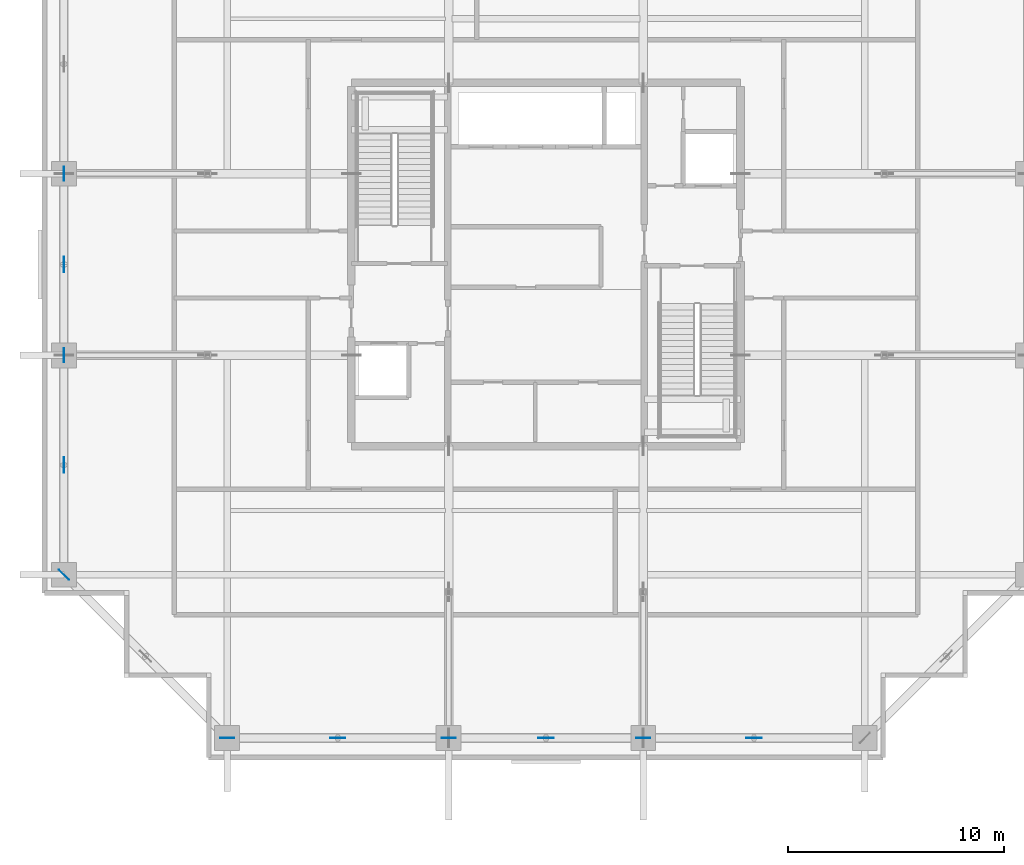
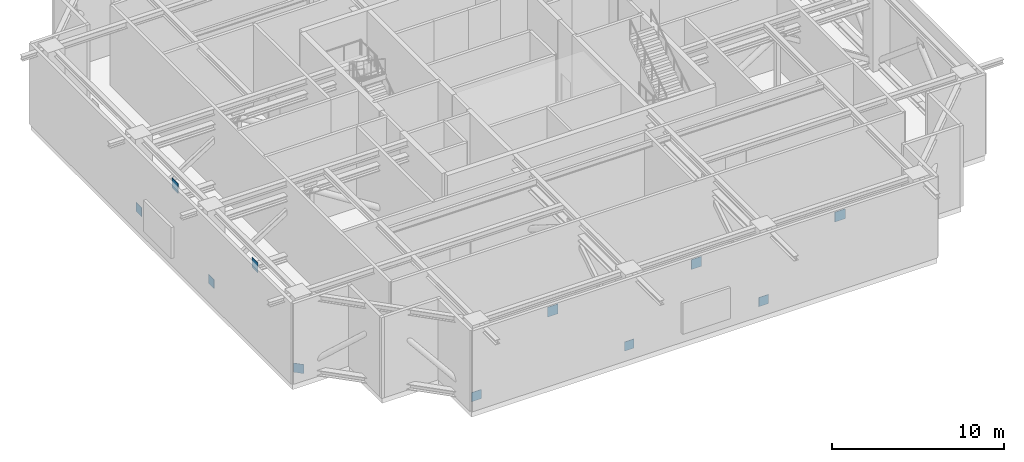
# One storey, part 11 of 22: 11 plates.
"""IFC4 building model written with IfcOpenShell, lengths in metres."""

from ifc_helpers import new_model, si_unit, direction, frame, origin, origin_2d, place, context, subcontext, project, spatial, rectangle, extrude, source, transform, mapped, material, layer, layer_set, type_object, element, save


model = new_model("IFC4")

# Units and contexts
model_context = context("Model", 3, precision=1e-05, world=origin(), true_north=direction((0.0, 1.0)))
body_context = subcontext(model_context, "Body", "Model", "MODEL_VIEW")
ifc_project = project(units=[si_unit("LENGTHUNIT", "METRE"), si_unit("AREAUNIT", "SQUARE_METRE"), si_unit("VOLUMEUNIT", "CUBIC_METRE"), si_unit("PLANEANGLEUNIT", "RADIAN"), si_unit("MASSUNIT", "GRAM", prefix="KILO")], contexts=[model_context])

# Site, building, storey
site_placement = place(None, origin())
site = spatial("IfcSite", under=ifc_project, at=site_placement, CompositionType="ELEMENT")
building_placement = place(site_placement, origin())
building = spatial("IfcBuilding", under=site, at=building_placement, Name="Serunith Strait Residences", CompositionType="ELEMENT")
storey_placement = place(building_placement, frame((0.0, 0.0, 287.449951171875)))
storey = spatial("IfcBuildingStorey", under=building, at=storey_placement, Name="L72", CompositionType="ELEMENT", Elevation=287.449951171875)

# Plates
ifc_material = material(Name="Steel S460M", Category="steel")
ifc_layer = layer(ifc_material, 0.02490234375, Name="Steel S460M")
ifc_layer_set = layer_set([ifc_layer], Name="Steel S460M")
plate_type = type_object("IfcPlateType", Name="PLT-CAP-25", PredefinedType="SHEET", material=ifc_layer_set)
shared_shape_1 = source(origin(), body_context, "Body", "SweptSolid", [
    extrude(rectangle(XDim=0.699951171875, YDim=0.02490234375, at=origin_2d()), origin(), (0.0, 0.0, 1.0), 0.699951171875),
])
for number, where, z_axis, x_axis, name in (
    (1, (22.77490234375, 3.300048828125, 4.14013671875), (0.0, 0.0, 1.0), (1.0, 0.0, 0.0), "L72 Belt Truss Apex Gusset 01"),
    (2, (32.39990234375, 3.300048828125, 4.14013671875), (0.0, 0.0, 1.0), (1.0, 0.0, 0.0), "L72 Belt Truss Apex Gusset 02"),
    (3, (42.02490234375, 3.300048828125, 4.14013671875), (0.0, 0.0, 1.0), (1.0, 0.0, 0.0), "L72 Belt Truss Apex Gusset 03"),
    (4, (10.10009765625, 25.199951171875, 4.14013671875), (0.0, 0.0, 1.0), (0.0, -1.0, 0.0), "L72 Belt Truss Apex Gusset 14"),
    (5, (10.10009765625, 15.925048828125, 4.14013671875), (0.0, 0.0, 1.0), (0.0, -1.0, 0.0), "L72 Belt Truss Apex Gusset 15"),
):
    element("IfcPlate", number, at=place(storey_placement, frame(where, z_axis=z_axis, x_axis=x_axis)), inside=storey, type_object=plate_type, Name=name, PredefinedType="SHEET", context=body_context, shape_type="MappedRepresentation", body=[
        mapped(shared_shape_1, transform((0.0, 0.0, 0.0), scale=1.0)),
    ])
shared_shape_2 = source(origin(), body_context, "Body", "SweptSolid", [
    extrude(rectangle(XDim=0.64990234375, YDim=0.02490234375, at=origin_2d()), origin(), (0.0, 0.0, 1.0), 0.64990234375),
])
for number, where, z_axis, x_axis, name in (
    (6, (17.64990234375, 3.300048828125, -0.074951171875), (0.0, 0.0, 1.0), (1.0, 0.0, 0.0), "L72 Belt Truss Column Node Plate 01"),
    (7, (27.89990234375, 3.300048828125, -0.074951171875), (0.0, 0.0, 1.0), (1.0, 0.0, 0.0), "L72 Belt Truss Column Node Plate 02"),
    (8, (36.89990234375, 3.300048828125, -0.074951171875), (0.0, 0.0, 1.0), (1.0, 0.0, 0.0), "L72 Belt Truss Column Node Plate 03"),
    (9, (10.10009765625, 29.39990234375, -0.074951171875), (0.0, 0.0, 1.0), (0.0, -1.0, 0.0), "L72 Belt Truss Column Node Plate 14"),
    (10, (10.10009765625, 21.0, -0.074951171875), (0.0, 0.0, 1.0), (0.0, -1.0, 0.0), "L72 Belt Truss Column Node Plate 15"),
    (11, (10.10009765625, 10.85009765625, -0.074951171875), (0.0, 0.0, 1.0), (0.707106781187, -0.707106781187, 0.0), "L72 Belt Truss Column Node Plate 16"),
):
    element("IfcPlate", number, at=place(storey_placement, frame(where, z_axis=z_axis, x_axis=x_axis)), inside=storey, type_object=plate_type, Name=name, PredefinedType="SHEET", context=body_context, shape_type="MappedRepresentation", body=[
        mapped(shared_shape_2, transform((0.0, 0.0, 0.0), scale=1.0)),
    ])

save(model, "model.ifc")
